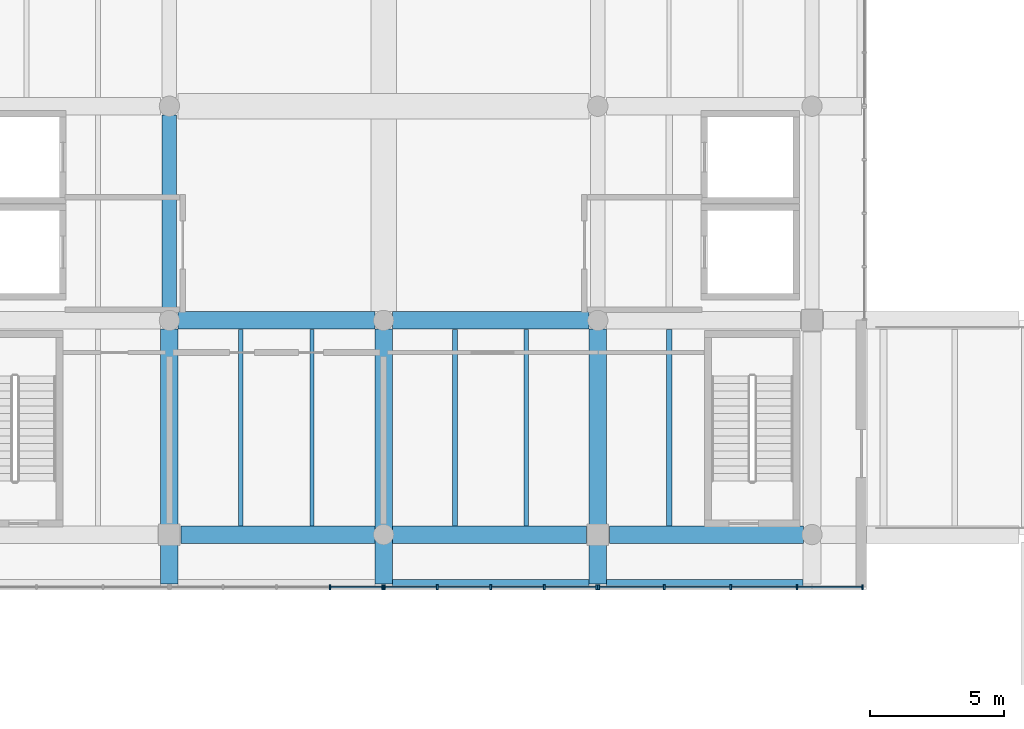
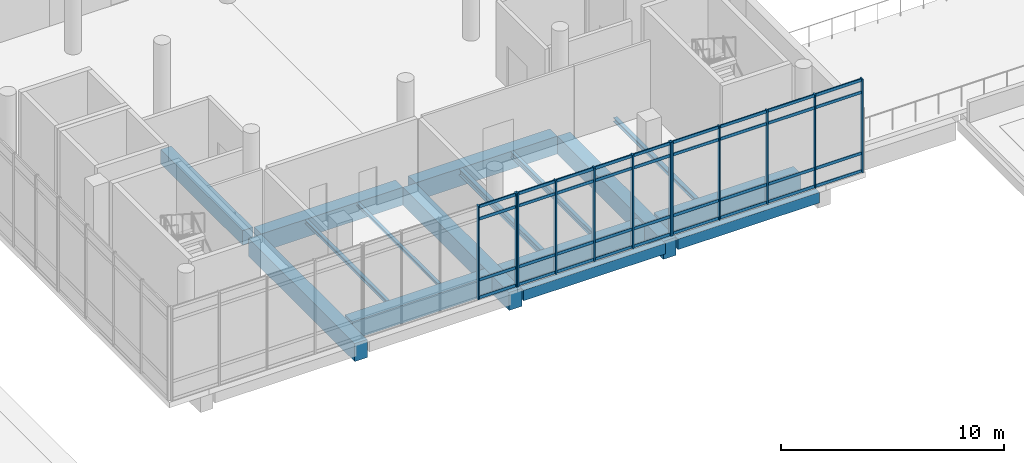
# One storey, part 4 of 20: 48 members, 16 beams, 3 elements without a shape of their own.
"""IFC4 building model written with IfcOpenShell, lengths in metres."""

from ifc_helpers import new_model, si_unit, direction, frame, origin, origin_2d, place, context, subcontext, project, spatial, rectangle, i_section, extrude, material, material_profile, profile_set, type_object, element, aggregate, save


model = new_model("IFC4")

# Units and contexts
model_context = context("Model", 3, precision=1e-05, world=origin(), true_north=direction((0.0, 1.0)))
body_context = subcontext(model_context, "Body", "Model", "MODEL_VIEW")
ifc_project = project(units=[si_unit("LENGTHUNIT", "METRE"), si_unit("AREAUNIT", "SQUARE_METRE"), si_unit("VOLUMEUNIT", "CUBIC_METRE"), si_unit("PLANEANGLEUNIT", "RADIAN"), si_unit("MASSUNIT", "GRAM", prefix="KILO")], contexts=[model_context])

# Site, building, storey
site_placement = place(None, origin())
site = spatial("IfcSite", under=ifc_project, at=site_placement, CompositionType="ELEMENT")
building_placement = place(site_placement, origin())
building = spatial("IfcBuilding", under=site, at=building_placement, Name="Pecanmere Concourse Central Library", CompositionType="ELEMENT")
storey_placement = place(building_placement, frame((0.0, 0.0, 24.89990234375)))
storey = spatial("IfcBuildingStorey", under=building, at=storey_placement, Name="L06", CompositionType="ELEMENT", Elevation=24.89990234375)

# Curtain wall, members
ifc_material_1 = material(Name="Anodized bronze aluminium alloy 6063-T6", Category="aluminium")
curtain_wall_type = type_object("IfcCurtainWallType", Name="CW_PLUMB_BANDED", PredefinedType="USERDEFINED", material=ifc_material_1)
curtain_wall_1_placement = place(storey_placement, origin())
curtain_wall_1 = element("IfcCurtainWall", 1, at=curtain_wall_1_placement, inside=storey, type_object=curtain_wall_type, Name="Unitised Curtain Wall CW-02 L06-075", ObjectType="UNITISED CURTAIN WALL", PredefinedType="USERDEFINED")
ifc_material_2 = material(Name="Anodized bronze aluminium alloy 6063-T6", Category="aluminium")
ifc_material_profile_1 = material_profile(ifc_material_2, rectangle(XDim=0.06494140625, YDim=0.179931640625, at=origin_2d()), Name="AL 65x180")
ifc_profile_set_1 = profile_set([ifc_material_profile_1], Name="Anodized bronze aluminium alloy 6063-T6")
member_type_1 = type_object("IfcMemberType", Name="CWM_180x65", PredefinedType="MULLION", material=ifc_profile_set_1)
member_1_placement = place(storey_placement, frame((85.99755859375, 88.03857421875, 0.0), z_axis=(0.0, 0.0, 1.0), x_axis=(1.0, 0.0, 0.0)))
member_1 = element("IfcMember", 2, at=member_1_placement, type_object=member_type_1, Name="CW-02 Mullion 4", PredefinedType="MULLION", context=body_context, shape_type="SweptSolid", body=[
    extrude(rectangle(XDim=0.06494140625, YDim=0.179931640625, at=origin_2d()), origin(), (0.0, 0.0, 1.0), 5.14013671875),
])
member_2_placement = place(storey_placement, frame((87.96240234375, 88.03857421875, 0.0), z_axis=(0.0, 0.0, 1.0), x_axis=(1.0, 0.0, 0.0)))
member_2 = element("IfcMember", 3, at=member_2_placement, type_object=member_type_1, Name="CW-02 Mullion 5", PredefinedType="MULLION", context=body_context, shape_type="SweptSolid", body=[
    extrude(rectangle(XDim=0.06494140625, YDim=0.179931640625, at=origin_2d()), origin(), (0.0, 0.0, 1.0), 5.14013671875),
])

curtain_wall_2_placement = place(storey_placement, origin())
curtain_wall_2 = element("IfcCurtainWall", 4, at=curtain_wall_2_placement, inside=storey, type_object=curtain_wall_type, Name="Unitised Curtain Wall CW-02 L06-076", ObjectType="UNITISED CURTAIN WALL", PredefinedType="USERDEFINED")
member_3_placement = place(storey_placement, frame((88.03759765625, 88.03857421875, 0.0), z_axis=(0.0, 0.0, 1.0), x_axis=(1.0, 0.0, 0.0)))
member_3 = element("IfcMember", 5, at=member_3_placement, type_object=member_type_1, Name="CW-02 Mullion 1", PredefinedType="MULLION", context=body_context, shape_type="SweptSolid", body=[
    extrude(rectangle(XDim=0.06494140625, YDim=0.179931640625, at=origin_2d()), origin(), (0.0, 0.0, 1.0), 5.14013671875),
])
member_4_placement = place(storey_placement, frame((90.00244140625, 88.03857421875, 0.0), z_axis=(0.0, 0.0, 1.0), x_axis=(1.0, 0.0, 0.0)))
member_4 = element("IfcMember", 6, at=member_4_placement, type_object=member_type_1, Name="CW-02 Mullion 2", PredefinedType="MULLION", context=body_context, shape_type="SweptSolid", body=[
    extrude(rectangle(XDim=0.06494140625, YDim=0.179931640625, at=origin_2d()), origin(), (0.0, 0.0, 1.0), 5.14013671875),
])
member_5_placement = place(storey_placement, frame((92.0, 88.03857421875, 0.0), z_axis=(0.0, 0.0, 1.0), x_axis=(1.0, 0.0, 0.0)))
member_5 = element("IfcMember", 7, at=member_5_placement, type_object=member_type_1, Name="CW-02 Mullion 3", PredefinedType="MULLION", context=body_context, shape_type="SweptSolid", body=[
    extrude(rectangle(XDim=0.06494140625, YDim=0.179931640625, at=origin_2d()), origin(), (0.0, 0.0, 1.0), 5.14013671875),
])
member_6_placement = place(storey_placement, frame((93.99755859375, 88.03857421875, 0.0), z_axis=(0.0, 0.0, 1.0), x_axis=(1.0, 0.0, 0.0)))
member_6 = element("IfcMember", 8, at=member_6_placement, type_object=member_type_1, Name="CW-02 Mullion 4", PredefinedType="MULLION", context=body_context, shape_type="SweptSolid", body=[
    extrude(rectangle(XDim=0.06494140625, YDim=0.179931640625, at=origin_2d()), origin(), (0.0, 0.0, 1.0), 5.14013671875),
])
member_7_placement = place(storey_placement, frame((95.96240234375, 88.03857421875, 0.0), z_axis=(0.0, 0.0, 1.0), x_axis=(1.0, 0.0, 0.0)))
member_7 = element("IfcMember", 9, at=member_7_placement, type_object=member_type_1, Name="CW-02 Mullion 5", PredefinedType="MULLION", context=body_context, shape_type="SweptSolid", body=[
    extrude(rectangle(XDim=0.06494140625, YDim=0.179931640625, at=origin_2d()), origin(), (0.0, 0.0, 1.0), 5.14013671875),
])

curtain_wall_3_placement = place(storey_placement, origin())
curtain_wall_3 = element("IfcCurtainWall", 10, at=curtain_wall_3_placement, inside=storey, type_object=curtain_wall_type, Name="Unitised Curtain Wall CW-02 L06-077", ObjectType="UNITISED CURTAIN WALL", PredefinedType="USERDEFINED")
member_8_placement = place(storey_placement, frame((96.03759765625, 88.03857421875, 0.0), z_axis=(0.0, 0.0, 1.0), x_axis=(1.0, 0.0, 0.0)))
member_8 = element("IfcMember", 11, at=member_8_placement, type_object=member_type_1, Name="CW-02 Mullion 1", PredefinedType="MULLION", context=body_context, shape_type="SweptSolid", body=[
    extrude(rectangle(XDim=0.06494140625, YDim=0.179931640625, at=origin_2d()), origin(), (0.0, 0.0, 1.0), 5.14013671875),
])
member_9_placement = place(storey_placement, frame((98.484130859375, 88.03857421875, 0.0), z_axis=(0.0, 0.0, 1.0), x_axis=(1.0, 0.0, 0.0)))
member_9 = element("IfcMember", 12, at=member_9_placement, type_object=member_type_1, Name="CW-02 Mullion 2", PredefinedType="MULLION", context=body_context, shape_type="SweptSolid", body=[
    extrude(rectangle(XDim=0.06494140625, YDim=0.179931640625, at=origin_2d()), origin(), (0.0, 0.0, 1.0), 5.14013671875),
])
member_10_placement = place(storey_placement, frame((100.963134765625, 88.03857421875, 0.0), z_axis=(0.0, 0.0, 1.0), x_axis=(1.0, 0.0, 0.0)))
member_10 = element("IfcMember", 13, at=member_10_placement, type_object=member_type_1, Name="CW-02 Mullion 3", PredefinedType="MULLION", context=body_context, shape_type="SweptSolid", body=[
    extrude(rectangle(XDim=0.06494140625, YDim=0.179931640625, at=origin_2d()), origin(), (0.0, 0.0, 1.0), 5.14013671875),
])
member_11_placement = place(storey_placement, frame((103.4423828125, 88.03857421875, 0.0), z_axis=(0.0, 0.0, 1.0), x_axis=(1.0, 0.0, 0.0)))
member_11 = element("IfcMember", 14, at=member_11_placement, type_object=member_type_1, Name="CW-02 Mullion 4", PredefinedType="MULLION", context=body_context, shape_type="SweptSolid", body=[
    extrude(rectangle(XDim=0.06494140625, YDim=0.179931640625, at=origin_2d()), origin(), (0.0, 0.0, 1.0), 5.14013671875),
])
member_12_placement = place(storey_placement, frame((105.888916015625, 88.03857421875, 0.0), z_axis=(0.0, 0.0, 1.0), x_axis=(1.0, 0.0, 0.0)))
member_12 = element("IfcMember", 15, at=member_12_placement, type_object=member_type_1, Name="CW-02 Mullion 5", PredefinedType="MULLION", context=body_context, shape_type="SweptSolid", body=[
    extrude(rectangle(XDim=0.06494140625, YDim=0.179931640625, at=origin_2d()), origin(), (0.0, 0.0, 1.0), 5.14013671875),
])

# Member
ifc_material_3 = material(Name="Anodized bronze aluminium alloy 6063-T6", Category="aluminium")
ifc_material_profile_2 = material_profile(ifc_material_3, rectangle(XDim=0.06005859375, YDim=0.159912109375, at=origin_2d()), Name="AL 60x160")
ifc_profile_set_2 = profile_set([ifc_material_profile_2], Name="Anodized bronze aluminium alloy 6063-T6")
member_type_2 = type_object("IfcMemberType", Name="CWT_160x60", PredefinedType="USERDEFINED", material=ifc_profile_set_2)
member_13_placement = place(storey_placement, frame((86.030029296875, 88.03857421875, 0.080078125), z_axis=(1.0, 0.0, 0.0), x_axis=(0.0, 1.0, 0.0)))
member_13 = element("IfcMember", 16, at=member_13_placement, type_object=member_type_2, Name="CW-02 Transom 4.1", ObjectType="TRANSOM", PredefinedType="USERDEFINED", context=body_context, shape_type="SweptSolid", body=[
    extrude(rectangle(XDim=0.06005859375, YDim=0.159912109375, at=origin_2d()), origin(), (0.0, 0.0, 1.0), 1.89990234375),
])

member_14_placement = place(storey_placement, frame((86.030029296875, 88.03857421875, 1.050048828125), z_axis=(1.0, 0.0, 0.0), x_axis=(0.0, 1.0, 0.0)))
member_14 = element("IfcMember", 17, at=member_14_placement, type_object=member_type_2, Name="CW-02 Transom 4.2", ObjectType="TRANSOM", PredefinedType="USERDEFINED", context=body_context, shape_type="SweptSolid", body=[
    extrude(rectangle(XDim=0.06005859375, YDim=0.159912109375, at=origin_2d()), origin(), (0.0, 0.0, 1.0), 1.89990234375),
])

member_15_placement = place(storey_placement, frame((86.030029296875, 88.03857421875, 4.39013671875), z_axis=(1.0, 0.0, 0.0), x_axis=(0.0, 1.0, 0.0)))
member_15 = element("IfcMember", 18, at=member_15_placement, type_object=member_type_2, Name="CW-02 Transom 4.3", ObjectType="TRANSOM", PredefinedType="USERDEFINED", context=body_context, shape_type="SweptSolid", body=[
    extrude(rectangle(XDim=0.06005859375, YDim=0.159912109375, at=origin_2d()), origin(), (0.0, 0.0, 1.0), 1.89990234375),
])

member_16_placement = place(storey_placement, frame((86.030029296875, 88.03857421875, 5.06005859375), z_axis=(1.0, 0.0, 0.0), x_axis=(0.0, 1.0, 0.0)))
member_16 = element("IfcMember", 19, at=member_16_placement, type_object=member_type_2, Name="CW-02 Transom 4.4", ObjectType="TRANSOM", PredefinedType="USERDEFINED", context=body_context, shape_type="SweptSolid", body=[
    extrude(rectangle(XDim=0.06005859375, YDim=0.159912109375, at=origin_2d()), origin(), (0.0, 0.0, 1.0), 1.89990234375),
])

aggregate(curtain_wall_1, [member_1, member_2, member_13, member_14, member_15, member_16])

member_17_placement = place(storey_placement, frame((88.070068359375, 88.03857421875, 0.080078125), z_axis=(1.0, 0.0, 0.0), x_axis=(0.0, 1.0, 0.0)))
member_17 = element("IfcMember", 20, at=member_17_placement, type_object=member_type_2, Name="CW-02 Transom 1.1", ObjectType="TRANSOM", PredefinedType="USERDEFINED", context=body_context, shape_type="SweptSolid", body=[
    extrude(rectangle(XDim=0.06005859375, YDim=0.159912109375, at=origin_2d()), origin(), (0.0, 0.0, 1.0), 1.89990234375),
])

member_18_placement = place(storey_placement, frame((88.070068359375, 88.03857421875, 1.050048828125), z_axis=(1.0, 0.0, 0.0), x_axis=(0.0, 1.0, 0.0)))
member_18 = element("IfcMember", 21, at=member_18_placement, type_object=member_type_2, Name="CW-02 Transom 1.2", ObjectType="TRANSOM", PredefinedType="USERDEFINED", context=body_context, shape_type="SweptSolid", body=[
    extrude(rectangle(XDim=0.06005859375, YDim=0.159912109375, at=origin_2d()), origin(), (0.0, 0.0, 1.0), 1.89990234375),
])

member_19_placement = place(storey_placement, frame((88.070068359375, 88.03857421875, 4.39013671875), z_axis=(1.0, 0.0, 0.0), x_axis=(0.0, 1.0, 0.0)))
member_19 = element("IfcMember", 22, at=member_19_placement, type_object=member_type_2, Name="CW-02 Transom 1.3", ObjectType="TRANSOM", PredefinedType="USERDEFINED", context=body_context, shape_type="SweptSolid", body=[
    extrude(rectangle(XDim=0.06005859375, YDim=0.159912109375, at=origin_2d()), origin(), (0.0, 0.0, 1.0), 1.89990234375),
])

member_20_placement = place(storey_placement, frame((88.070068359375, 88.03857421875, 5.06005859375), z_axis=(1.0, 0.0, 0.0), x_axis=(0.0, 1.0, 0.0)))
member_20 = element("IfcMember", 23, at=member_20_placement, type_object=member_type_2, Name="CW-02 Transom 1.4", ObjectType="TRANSOM", PredefinedType="USERDEFINED", context=body_context, shape_type="SweptSolid", body=[
    extrude(rectangle(XDim=0.06005859375, YDim=0.159912109375, at=origin_2d()), origin(), (0.0, 0.0, 1.0), 1.89990234375),
])

member_21_placement = place(storey_placement, frame((90.034912109375, 88.03857421875, 0.080078125), z_axis=(1.0, 0.0, 0.0), x_axis=(0.0, 1.0, 0.0)))
member_21 = element("IfcMember", 24, at=member_21_placement, type_object=member_type_2, Name="CW-02 Transom 2.1", ObjectType="TRANSOM", PredefinedType="USERDEFINED", context=body_context, shape_type="SweptSolid", body=[
    extrude(rectangle(XDim=0.06005859375, YDim=0.159912109375, at=origin_2d()), origin(), (0.0, 0.0, 1.0), 1.9326171875),
])

member_22_placement = place(storey_placement, frame((90.034912109375, 88.03857421875, 1.050048828125), z_axis=(1.0, 0.0, 0.0), x_axis=(0.0, 1.0, 0.0)))
member_22 = element("IfcMember", 25, at=member_22_placement, type_object=member_type_2, Name="CW-02 Transom 2.2", ObjectType="TRANSOM", PredefinedType="USERDEFINED", context=body_context, shape_type="SweptSolid", body=[
    extrude(rectangle(XDim=0.06005859375, YDim=0.159912109375, at=origin_2d()), origin(), (0.0, 0.0, 1.0), 1.9326171875),
])

member_23_placement = place(storey_placement, frame((90.034912109375, 88.03857421875, 4.39013671875), z_axis=(1.0, 0.0, 0.0), x_axis=(0.0, 1.0, 0.0)))
member_23 = element("IfcMember", 26, at=member_23_placement, type_object=member_type_2, Name="CW-02 Transom 2.3", ObjectType="TRANSOM", PredefinedType="USERDEFINED", context=body_context, shape_type="SweptSolid", body=[
    extrude(rectangle(XDim=0.06005859375, YDim=0.159912109375, at=origin_2d()), origin(), (0.0, 0.0, 1.0), 1.9326171875),
])

member_24_placement = place(storey_placement, frame((90.034912109375, 88.03857421875, 5.06005859375), z_axis=(1.0, 0.0, 0.0), x_axis=(0.0, 1.0, 0.0)))
member_24 = element("IfcMember", 27, at=member_24_placement, type_object=member_type_2, Name="CW-02 Transom 2.4", ObjectType="TRANSOM", PredefinedType="USERDEFINED", context=body_context, shape_type="SweptSolid", body=[
    extrude(rectangle(XDim=0.06005859375, YDim=0.159912109375, at=origin_2d()), origin(), (0.0, 0.0, 1.0), 1.9326171875),
])

member_25_placement = place(storey_placement, frame((92.032470703125, 88.03857421875, 0.080078125), z_axis=(1.0, 0.0, 0.0), x_axis=(0.0, 1.0, 0.0)))
member_25 = element("IfcMember", 28, at=member_25_placement, type_object=member_type_2, Name="CW-02 Transom 3.1", ObjectType="TRANSOM", PredefinedType="USERDEFINED", context=body_context, shape_type="SweptSolid", body=[
    extrude(rectangle(XDim=0.06005859375, YDim=0.159912109375, at=origin_2d()), origin(), (0.0, 0.0, 1.0), 1.9326171875),
])

member_26_placement = place(storey_placement, frame((92.032470703125, 88.03857421875, 1.050048828125), z_axis=(1.0, 0.0, 0.0), x_axis=(0.0, 1.0, 0.0)))
member_26 = element("IfcMember", 29, at=member_26_placement, type_object=member_type_2, Name="CW-02 Transom 3.2", ObjectType="TRANSOM", PredefinedType="USERDEFINED", context=body_context, shape_type="SweptSolid", body=[
    extrude(rectangle(XDim=0.06005859375, YDim=0.159912109375, at=origin_2d()), origin(), (0.0, 0.0, 1.0), 1.9326171875),
])

member_27_placement = place(storey_placement, frame((92.032470703125, 88.03857421875, 4.39013671875), z_axis=(1.0, 0.0, 0.0), x_axis=(0.0, 1.0, 0.0)))
member_27 = element("IfcMember", 30, at=member_27_placement, type_object=member_type_2, Name="CW-02 Transom 3.3", ObjectType="TRANSOM", PredefinedType="USERDEFINED", context=body_context, shape_type="SweptSolid", body=[
    extrude(rectangle(XDim=0.06005859375, YDim=0.159912109375, at=origin_2d()), origin(), (0.0, 0.0, 1.0), 1.9326171875),
])

member_28_placement = place(storey_placement, frame((92.032470703125, 88.03857421875, 5.06005859375), z_axis=(1.0, 0.0, 0.0), x_axis=(0.0, 1.0, 0.0)))
member_28 = element("IfcMember", 31, at=member_28_placement, type_object=member_type_2, Name="CW-02 Transom 3.4", ObjectType="TRANSOM", PredefinedType="USERDEFINED", context=body_context, shape_type="SweptSolid", body=[
    extrude(rectangle(XDim=0.06005859375, YDim=0.159912109375, at=origin_2d()), origin(), (0.0, 0.0, 1.0), 1.9326171875),
])

member_29_placement = place(storey_placement, frame((94.030029296875, 88.03857421875, 0.080078125), z_axis=(1.0, 0.0, 0.0), x_axis=(0.0, 1.0, 0.0)))
member_29 = element("IfcMember", 32, at=member_29_placement, type_object=member_type_2, Name="CW-02 Transom 4.1", ObjectType="TRANSOM", PredefinedType="USERDEFINED", context=body_context, shape_type="SweptSolid", body=[
    extrude(rectangle(XDim=0.06005859375, YDim=0.159912109375, at=origin_2d()), origin(), (0.0, 0.0, 1.0), 1.89990234375),
])

member_30_placement = place(storey_placement, frame((94.030029296875, 88.03857421875, 1.050048828125), z_axis=(1.0, 0.0, 0.0), x_axis=(0.0, 1.0, 0.0)))
member_30 = element("IfcMember", 33, at=member_30_placement, type_object=member_type_2, Name="CW-02 Transom 4.2", ObjectType="TRANSOM", PredefinedType="USERDEFINED", context=body_context, shape_type="SweptSolid", body=[
    extrude(rectangle(XDim=0.06005859375, YDim=0.159912109375, at=origin_2d()), origin(), (0.0, 0.0, 1.0), 1.89990234375),
])

member_31_placement = place(storey_placement, frame((94.030029296875, 88.03857421875, 4.39013671875), z_axis=(1.0, 0.0, 0.0), x_axis=(0.0, 1.0, 0.0)))
member_31 = element("IfcMember", 34, at=member_31_placement, type_object=member_type_2, Name="CW-02 Transom 4.3", ObjectType="TRANSOM", PredefinedType="USERDEFINED", context=body_context, shape_type="SweptSolid", body=[
    extrude(rectangle(XDim=0.06005859375, YDim=0.159912109375, at=origin_2d()), origin(), (0.0, 0.0, 1.0), 1.89990234375),
])

member_32_placement = place(storey_placement, frame((94.030029296875, 88.03857421875, 5.06005859375), z_axis=(1.0, 0.0, 0.0), x_axis=(0.0, 1.0, 0.0)))
member_32 = element("IfcMember", 35, at=member_32_placement, type_object=member_type_2, Name="CW-02 Transom 4.4", ObjectType="TRANSOM", PredefinedType="USERDEFINED", context=body_context, shape_type="SweptSolid", body=[
    extrude(rectangle(XDim=0.06005859375, YDim=0.159912109375, at=origin_2d()), origin(), (0.0, 0.0, 1.0), 1.89990234375),
])

aggregate(curtain_wall_2, [member_3, member_4, member_5, member_6, member_7, member_17, member_18, member_19, member_20, member_21, member_22, member_23, member_24, member_25, member_26, member_27, member_28, member_29, member_30, member_31, member_32])

member_33_placement = place(storey_placement, frame((96.070068359375, 88.03857421875, 0.080078125), z_axis=(1.0, 0.0, 0.0), x_axis=(0.0, 1.0, 0.0)))
member_33 = element("IfcMember", 36, at=member_33_placement, type_object=member_type_2, Name="CW-02 Transom 1.1", ObjectType="TRANSOM", PredefinedType="USERDEFINED", context=body_context, shape_type="SweptSolid", body=[
    extrude(rectangle(XDim=0.06005859375, YDim=0.159912109375, at=origin_2d()), origin(), (0.0, 0.0, 1.0), 2.381591796875),
])

member_34_placement = place(storey_placement, frame((96.070068359375, 88.03857421875, 1.050048828125), z_axis=(1.0, 0.0, 0.0), x_axis=(0.0, 1.0, 0.0)))
member_34 = element("IfcMember", 37, at=member_34_placement, type_object=member_type_2, Name="CW-02 Transom 1.2", ObjectType="TRANSOM", PredefinedType="USERDEFINED", context=body_context, shape_type="SweptSolid", body=[
    extrude(rectangle(XDim=0.06005859375, YDim=0.159912109375, at=origin_2d()), origin(), (0.0, 0.0, 1.0), 2.381591796875),
])

member_35_placement = place(storey_placement, frame((96.070068359375, 88.03857421875, 4.39013671875), z_axis=(1.0, 0.0, 0.0), x_axis=(0.0, 1.0, 0.0)))
member_35 = element("IfcMember", 38, at=member_35_placement, type_object=member_type_2, Name="CW-02 Transom 1.3", ObjectType="TRANSOM", PredefinedType="USERDEFINED", context=body_context, shape_type="SweptSolid", body=[
    extrude(rectangle(XDim=0.06005859375, YDim=0.159912109375, at=origin_2d()), origin(), (0.0, 0.0, 1.0), 2.381591796875),
])

member_36_placement = place(storey_placement, frame((96.070068359375, 88.03857421875, 5.06005859375), z_axis=(1.0, 0.0, 0.0), x_axis=(0.0, 1.0, 0.0)))
member_36 = element("IfcMember", 39, at=member_36_placement, type_object=member_type_2, Name="CW-02 Transom 1.4", ObjectType="TRANSOM", PredefinedType="USERDEFINED", context=body_context, shape_type="SweptSolid", body=[
    extrude(rectangle(XDim=0.06005859375, YDim=0.159912109375, at=origin_2d()), origin(), (0.0, 0.0, 1.0), 2.381591796875),
])

member_37_placement = place(storey_placement, frame((98.5166015625, 88.03857421875, 0.080078125), z_axis=(1.0, 0.0, 0.0), x_axis=(0.0, 1.0, 0.0)))
member_37 = element("IfcMember", 40, at=member_37_placement, type_object=member_type_2, Name="CW-02 Transom 2.1", ObjectType="TRANSOM", PredefinedType="USERDEFINED", context=body_context, shape_type="SweptSolid", body=[
    extrude(rectangle(XDim=0.06005859375, YDim=0.159912109375, at=origin_2d()), origin(), (0.0, 0.0, 1.0), 2.4140625),
])

member_38_placement = place(storey_placement, frame((98.5166015625, 88.03857421875, 1.050048828125), z_axis=(1.0, 0.0, 0.0), x_axis=(0.0, 1.0, 0.0)))
member_38 = element("IfcMember", 41, at=member_38_placement, type_object=member_type_2, Name="CW-02 Transom 2.2", ObjectType="TRANSOM", PredefinedType="USERDEFINED", context=body_context, shape_type="SweptSolid", body=[
    extrude(rectangle(XDim=0.06005859375, YDim=0.159912109375, at=origin_2d()), origin(), (0.0, 0.0, 1.0), 2.4140625),
])

member_39_placement = place(storey_placement, frame((98.5166015625, 88.03857421875, 4.39013671875), z_axis=(1.0, 0.0, 0.0), x_axis=(0.0, 1.0, 0.0)))
member_39 = element("IfcMember", 42, at=member_39_placement, type_object=member_type_2, Name="CW-02 Transom 2.3", ObjectType="TRANSOM", PredefinedType="USERDEFINED", context=body_context, shape_type="SweptSolid", body=[
    extrude(rectangle(XDim=0.06005859375, YDim=0.159912109375, at=origin_2d()), origin(), (0.0, 0.0, 1.0), 2.4140625),
])

member_40_placement = place(storey_placement, frame((98.5166015625, 88.03857421875, 5.06005859375), z_axis=(1.0, 0.0, 0.0), x_axis=(0.0, 1.0, 0.0)))
member_40 = element("IfcMember", 43, at=member_40_placement, type_object=member_type_2, Name="CW-02 Transom 2.4", ObjectType="TRANSOM", PredefinedType="USERDEFINED", context=body_context, shape_type="SweptSolid", body=[
    extrude(rectangle(XDim=0.06005859375, YDim=0.159912109375, at=origin_2d()), origin(), (0.0, 0.0, 1.0), 2.4140625),
])

member_41_placement = place(storey_placement, frame((100.995849609375, 88.03857421875, 0.080078125), z_axis=(1.0, 0.0, 0.0), x_axis=(0.0, 1.0, 0.0)))
member_41 = element("IfcMember", 44, at=member_41_placement, type_object=member_type_2, Name="CW-02 Transom 3.1", ObjectType="TRANSOM", PredefinedType="USERDEFINED", context=body_context, shape_type="SweptSolid", body=[
    extrude(rectangle(XDim=0.06005859375, YDim=0.159912109375, at=origin_2d()), origin(), (0.0, 0.0, 1.0), 2.4140625),
])

member_42_placement = place(storey_placement, frame((100.995849609375, 88.03857421875, 1.050048828125), z_axis=(1.0, 0.0, 0.0), x_axis=(0.0, 1.0, 0.0)))
member_42 = element("IfcMember", 45, at=member_42_placement, type_object=member_type_2, Name="CW-02 Transom 3.2", ObjectType="TRANSOM", PredefinedType="USERDEFINED", context=body_context, shape_type="SweptSolid", body=[
    extrude(rectangle(XDim=0.06005859375, YDim=0.159912109375, at=origin_2d()), origin(), (0.0, 0.0, 1.0), 2.4140625),
])

member_43_placement = place(storey_placement, frame((100.995849609375, 88.03857421875, 4.39013671875), z_axis=(1.0, 0.0, 0.0), x_axis=(0.0, 1.0, 0.0)))
member_43 = element("IfcMember", 46, at=member_43_placement, type_object=member_type_2, Name="CW-02 Transom 3.3", ObjectType="TRANSOM", PredefinedType="USERDEFINED", context=body_context, shape_type="SweptSolid", body=[
    extrude(rectangle(XDim=0.06005859375, YDim=0.159912109375, at=origin_2d()), origin(), (0.0, 0.0, 1.0), 2.4140625),
])

member_44_placement = place(storey_placement, frame((100.995849609375, 88.03857421875, 5.06005859375), z_axis=(1.0, 0.0, 0.0), x_axis=(0.0, 1.0, 0.0)))
member_44 = element("IfcMember", 47, at=member_44_placement, type_object=member_type_2, Name="CW-02 Transom 3.4", ObjectType="TRANSOM", PredefinedType="USERDEFINED", context=body_context, shape_type="SweptSolid", body=[
    extrude(rectangle(XDim=0.06005859375, YDim=0.159912109375, at=origin_2d()), origin(), (0.0, 0.0, 1.0), 2.4140625),
])

member_45_placement = place(storey_placement, frame((103.474853515625, 88.03857421875, 0.080078125), z_axis=(1.0, 0.0, 0.0), x_axis=(0.0, 1.0, 0.0)))
member_45 = element("IfcMember", 48, at=member_45_placement, type_object=member_type_2, Name="CW-02 Transom 4.1", ObjectType="TRANSOM", PredefinedType="USERDEFINED", context=body_context, shape_type="SweptSolid", body=[
    extrude(rectangle(XDim=0.06005859375, YDim=0.159912109375, at=origin_2d()), origin(), (0.0, 0.0, 1.0), 2.381591796875),
])

member_46_placement = place(storey_placement, frame((103.474853515625, 88.03857421875, 1.050048828125), z_axis=(1.0, 0.0, 0.0), x_axis=(0.0, 1.0, 0.0)))
member_46 = element("IfcMember", 49, at=member_46_placement, type_object=member_type_2, Name="CW-02 Transom 4.2", ObjectType="TRANSOM", PredefinedType="USERDEFINED", context=body_context, shape_type="SweptSolid", body=[
    extrude(rectangle(XDim=0.06005859375, YDim=0.159912109375, at=origin_2d()), origin(), (0.0, 0.0, 1.0), 2.381591796875),
])

member_47_placement = place(storey_placement, frame((103.474853515625, 88.03857421875, 4.39013671875), z_axis=(1.0, 0.0, 0.0), x_axis=(0.0, 1.0, 0.0)))
member_47 = element("IfcMember", 50, at=member_47_placement, type_object=member_type_2, Name="CW-02 Transom 4.3", ObjectType="TRANSOM", PredefinedType="USERDEFINED", context=body_context, shape_type="SweptSolid", body=[
    extrude(rectangle(XDim=0.06005859375, YDim=0.159912109375, at=origin_2d()), origin(), (0.0, 0.0, 1.0), 2.381591796875),
])

member_48_placement = place(storey_placement, frame((103.474853515625, 88.03857421875, 5.06005859375), z_axis=(1.0, 0.0, 0.0), x_axis=(0.0, 1.0, 0.0)))
member_48 = element("IfcMember", 51, at=member_48_placement, type_object=member_type_2, Name="CW-02 Transom 4.4", ObjectType="TRANSOM", PredefinedType="USERDEFINED", context=body_context, shape_type="SweptSolid", body=[
    extrude(rectangle(XDim=0.06005859375, YDim=0.159912109375, at=origin_2d()), origin(), (0.0, 0.0, 1.0), 2.381591796875),
])

aggregate(curtain_wall_3, [member_8, member_9, member_10, member_11, member_12, member_33, member_34, member_35, member_36, member_37, member_38, member_39, member_40, member_41, member_42, member_43, member_44, member_45, member_46, member_47, member_48])

# Beams
ifc_material_4 = material(Name="Concrete C40/50", Category="concrete")
ifc_material_profile_3 = material_profile(ifc_material_4, rectangle(XDim=0.5400390625, YDim=0.800048828125, at=origin_2d()), Name="RC 540x800")
ifc_profile_set_3 = profile_set([ifc_material_profile_3], Name="Concrete C40/50")
beam_type_1 = type_object("IfcBeamType", Name="GRD_540x800", PredefinedType="USERDEFINED", material=ifc_profile_set_3)
beam_1_placement = place(storey_placement, frame((80.0, 98.324951171875, -0.699951171875), z_axis=(0.0, 1.0, 0.0), x_axis=(-1.0, 0.0, 0.0)))
element("IfcBeam", 52, at=beam_1_placement, inside=storey, type_object=beam_type_1, Name="Primary Girder Y L06-2689", ObjectType="GIRDER", PredefinedType="USERDEFINED", context=body_context, shape_type="SweptSolid", body=[
    extrude(rectangle(XDim=0.5400390625, YDim=0.800048828125, at=origin_2d()), origin(), (0.0, 0.0, 1.0), 7.35009765625),
])
ifc_material_5 = material(Name="Concrete C40/50", Category="concrete")
ifc_material_profile_4 = material_profile(ifc_material_5, rectangle(XDim=0.659912109375, YDim=0.97998046875, at=origin_2d()), Name="RC 660x980")
ifc_profile_set_4 = profile_set([ifc_material_profile_4], Name="Concrete C40/50")
beam_type_2 = type_object("IfcBeamType", Name="GRD_660x980", PredefinedType="USERDEFINED", material=ifc_profile_set_4)
for number, where, z_axis, x_axis, name in (
    (53, (80.429931640625, 90.0, -0.789794921875), (1.0, 0.0, 0.0), (0.0, 1.0, 0.0), "Primary Girder X L06-2643"),
    (54, (88.324951171875, 90.0, -0.789794921875), (1.0, 0.0, 0.0), (0.0, 1.0, 0.0), "Primary Girder X L06-2644"),
    (55, (96.429931640625, 90.0, -0.789794921875), (1.0, 0.0, 0.0), (0.0, 1.0, 0.0), "Primary Girder X L06-2645"),
):
    element("IfcBeam", number, at=place(storey_placement, frame(where, z_axis=z_axis, x_axis=x_axis)), inside=storey, type_object=beam_type_2, Name=name, ObjectType="GIRDER", PredefinedType="USERDEFINED", context=body_context, shape_type="SweptSolid", body=[
        extrude(rectangle(XDim=0.659912109375, YDim=0.97998046875, at=origin_2d()), origin(), (0.0, 0.0, 1.0), 7.2451171875),
    ])
for number, where, z_axis, x_axis, name in (
    (56, (80.324951171875, 98.0, -0.789794921875), (1.0, 0.0, 0.0), (0.0, 1.0, 0.0), "Primary Girder X L06-2652"),
    (57, (88.324951171875, 98.0, -0.789794921875), (1.0, 0.0, 0.0), (0.0, 1.0, 0.0), "Primary Girder X L06-2653"),
):
    element("IfcBeam", number, at=place(storey_placement, frame(where, z_axis=z_axis, x_axis=x_axis)), inside=storey, type_object=beam_type_2, Name=name, ObjectType="GIRDER", PredefinedType="USERDEFINED", context=body_context, shape_type="SweptSolid", body=[
        extrude(rectangle(XDim=0.659912109375, YDim=0.97998046875, at=origin_2d()), origin(), (0.0, 0.0, 1.0), 7.35009765625),
    ])
for number, where, z_axis, x_axis, name in (
    (58, (80.0, 88.1484375, -0.789794921875), (0.0, 1.0, 0.0), (-1.0, 0.0, 0.0), "Primary Girder Y L06-2688"),
    (59, (88.0, 88.1484375, -0.789794921875), (0.0, 1.0, 0.0), (-1.0, 0.0, 0.0), "Primary Girder Y L06-2692"),
    (60, (96.0, 88.1484375, -0.789794921875), (0.0, 1.0, 0.0), (-1.0, 0.0, 0.0), "Primary Girder Y L06-2695"),
):
    element("IfcBeam", number, at=place(storey_placement, frame(where, z_axis=z_axis, x_axis=x_axis)), inside=storey, type_object=beam_type_2, Name=name, ObjectType="GIRDER", PredefinedType="USERDEFINED", context=body_context, shape_type="SweptSolid", body=[
        extrude(rectangle(XDim=0.659912109375, YDim=0.97998046875, at=origin_2d()), origin(), (0.0, 0.0, 1.0), 9.526611328125),
    ])
ifc_material_6 = material(Name="Structural steel ASTM A992 Grade 50", Category="steel")
ifc_material_profile_5 = material_profile(ifc_material_6, i_section(OverallWidth=0.152099609375, OverallDepth=0.152099609375, WebThickness=0.005859375, FlangeThickness=0.006591796875, at=origin_2d()), Name="W150x22.5")
ifc_profile_set_5 = profile_set([ifc_material_profile_5], Name="Structural steel ASTM A992 Grade 50")
beam_type_3 = type_object("IfcBeamType", Name="SBM_W150x22", PredefinedType="LINTEL", material=ifc_profile_set_5)
beam_2_placement = place(storey_placement, frame((85.333251953125, 90.330078125, -0.3759765625), z_axis=(0.0, 1.0, 0.0), x_axis=(-1.0, 0.0, 0.0)))
element("IfcBeam", 61, at=beam_2_placement, inside=storey, type_object=beam_type_3, Name="Secondary Floor Joist L06-2754", PredefinedType="LINTEL", context=body_context, shape_type="SweptSolid", body=[
    extrude(i_section(OverallWidth=0.152099609375, OverallDepth=0.152099609375, WebThickness=0.005859375, FlangeThickness=0.006591796875, at=origin_2d()), origin(), (0.0, 0.0, 1.0), 7.33984375),
])
ifc_material_7 = material(Name="Structural steel ASTM A992 Grade 50", Category="steel")
ifc_material_profile_6 = material_profile(ifc_material_7, i_section(OverallWidth=0.1650390625, OverallDepth=0.200927734375, WebThickness=0.006103515625, FlangeThickness=0.01025390625, at=origin_2d()), Name="W200x35.9")
ifc_profile_set_6 = profile_set([ifc_material_profile_6], Name="Structural steel ASTM A992 Grade 50")
beam_type_4 = type_object("IfcBeamType", Name="SBM_W200x36", PredefinedType="LINTEL", material=ifc_profile_set_6)
beam_3_placement = place(storey_placement, frame((82.666748046875, 90.330078125, -0.400390625), z_axis=(0.0, 1.0, 0.0), x_axis=(-1.0, 0.0, 0.0)))
element("IfcBeam", 62, at=beam_3_placement, inside=storey, type_object=beam_type_4, Name="Secondary Floor Joist L06-2753", PredefinedType="LINTEL", context=body_context, shape_type="SweptSolid", body=[
    extrude(i_section(OverallWidth=0.1650390625, OverallDepth=0.200927734375, WebThickness=0.006103515625, FlangeThickness=0.01025390625, at=origin_2d()), origin(), (0.0, 0.0, 1.0), 7.33984375),
])
ifc_material_8 = material(Name="Structural steel ASTM A992 Grade 50", Category="steel")
ifc_material_profile_7 = material_profile(ifc_material_8, i_section(OverallWidth=0.2041015625, OverallDepth=0.2060546875, WebThickness=0.0078125, FlangeThickness=0.0126953125, at=origin_2d()), Name="W200x52")
ifc_profile_set_7 = profile_set([ifc_material_profile_7], Name="Structural steel ASTM A992 Grade 50")
beam_type_5 = type_object("IfcBeamType", Name="SBM_W200x52", PredefinedType="JOIST", material=ifc_profile_set_7)
beam_4_placement = place(storey_placement, frame((98.666748046875, 90.330078125, -0.40283203125), z_axis=(0.0, 1.0, 0.0), x_axis=(-1.0, 0.0, 0.0)))
element("IfcBeam", 63, at=beam_4_placement, inside=storey, type_object=beam_type_5, Name="Secondary Floor Joist L06-2761", PredefinedType="JOIST", context=body_context, shape_type="SweptSolid", body=[
    extrude(i_section(OverallWidth=0.2041015625, OverallDepth=0.2060546875, WebThickness=0.0078125, FlangeThickness=0.0126953125, at=origin_2d()), origin(), (0.0, 0.0, 1.0), 7.33984375),
])
ifc_material_9 = material(Name="Structural steel ASTM A992 Grade 50", Category="steel")
ifc_material_profile_8 = material_profile(ifc_material_9, i_section(OverallWidth=0.1669921875, OverallDepth=0.31689453125, WebThickness=0.007568359375, FlangeThickness=0.01318359375, at=origin_2d()), Name="W310x52")
ifc_profile_set_8 = profile_set([ifc_material_profile_8], Name="Structural steel ASTM A992 Grade 50")
beam_type_6 = type_object("IfcBeamType", Name="SBM_W310x52", PredefinedType="JOIST", material=ifc_profile_set_8)
beam_5_placement = place(storey_placement, frame((93.333251953125, 90.330078125, -0.45849609375), z_axis=(0.0, 1.0, 0.0), x_axis=(-1.0, 0.0, 0.0)))
element("IfcBeam", 64, at=beam_5_placement, inside=storey, type_object=beam_type_6, Name="Secondary Floor Joist L06-2758", PredefinedType="JOIST", context=body_context, shape_type="SweptSolid", body=[
    extrude(i_section(OverallWidth=0.1669921875, OverallDepth=0.31689453125, WebThickness=0.007568359375, FlangeThickness=0.01318359375, at=origin_2d()), origin(), (0.0, 0.0, 1.0), 7.33984375),
])
ifc_material_10 = material(Name="Structural steel ASTM A992 Grade 50", Category="steel")
ifc_material_profile_9 = material_profile(ifc_material_10, i_section(OverallWidth=0.202880859375, OverallDepth=0.346923828125, WebThickness=0.0078125, FlangeThickness=0.013427734375, at=origin_2d()), Name="W360x64")
ifc_profile_set_9 = profile_set([ifc_material_profile_9], Name="Structural steel ASTM A992 Grade 50")
beam_type_7 = type_object("IfcBeamType", Name="SBM_W360x64", PredefinedType="JOIST", material=ifc_profile_set_9)
beam_6_placement = place(storey_placement, frame((90.666748046875, 90.330078125, -0.473388671875), z_axis=(0.0, 1.0, 0.0), x_axis=(-1.0, 0.0, 0.0)))
element("IfcBeam", 65, at=beam_6_placement, inside=storey, type_object=beam_type_7, Name="Secondary Floor Joist L06-2757", PredefinedType="JOIST", context=body_context, shape_type="SweptSolid", body=[
    extrude(i_section(OverallWidth=0.202880859375, OverallDepth=0.346923828125, WebThickness=0.0078125, FlangeThickness=0.013427734375, at=origin_2d()), origin(), (0.0, 0.0, 1.0), 7.33984375),
])
ifc_material_11 = material(Name="Concrete C40/50", Category="concrete")
ifc_material_profile_10 = material_profile(ifc_material_11, rectangle(XDim=0.340087890625, YDim=0.580078125, at=origin_2d()), Name="RC 340x580")
ifc_profile_set_10 = profile_set([ifc_material_profile_10], Name="Concrete C40/50")
beam_type_8 = type_object("IfcBeamType", Name="SPB_340x580", PredefinedType="BEAM", material=ifc_profile_set_10)
for number, where, z_axis, x_axis, name in (
    (66, (88.330078125, 88.1484375, -0.58984375), (1.0, 0.0, 0.0), (0.0, 1.0, 0.0), "Leaning Facade Edge Beam L06-2720"),
    (67, (96.330078125, 88.1484375, -0.58984375), (1.0, 0.0, 0.0), (0.0, 1.0, 0.0), "Leaning Facade Edge Beam L06-2721"),
):
    element("IfcBeam", number, at=place(storey_placement, frame(where, z_axis=z_axis, x_axis=x_axis)), inside=storey, type_object=beam_type_8, Name=name, PredefinedType="BEAM", context=body_context, shape_type="SweptSolid", body=[
        extrude(rectangle(XDim=0.340087890625, YDim=0.580078125, at=origin_2d()), origin(), (0.0, 0.0, 1.0), 7.33984375),
    ])

save(model, "model.ifc")
